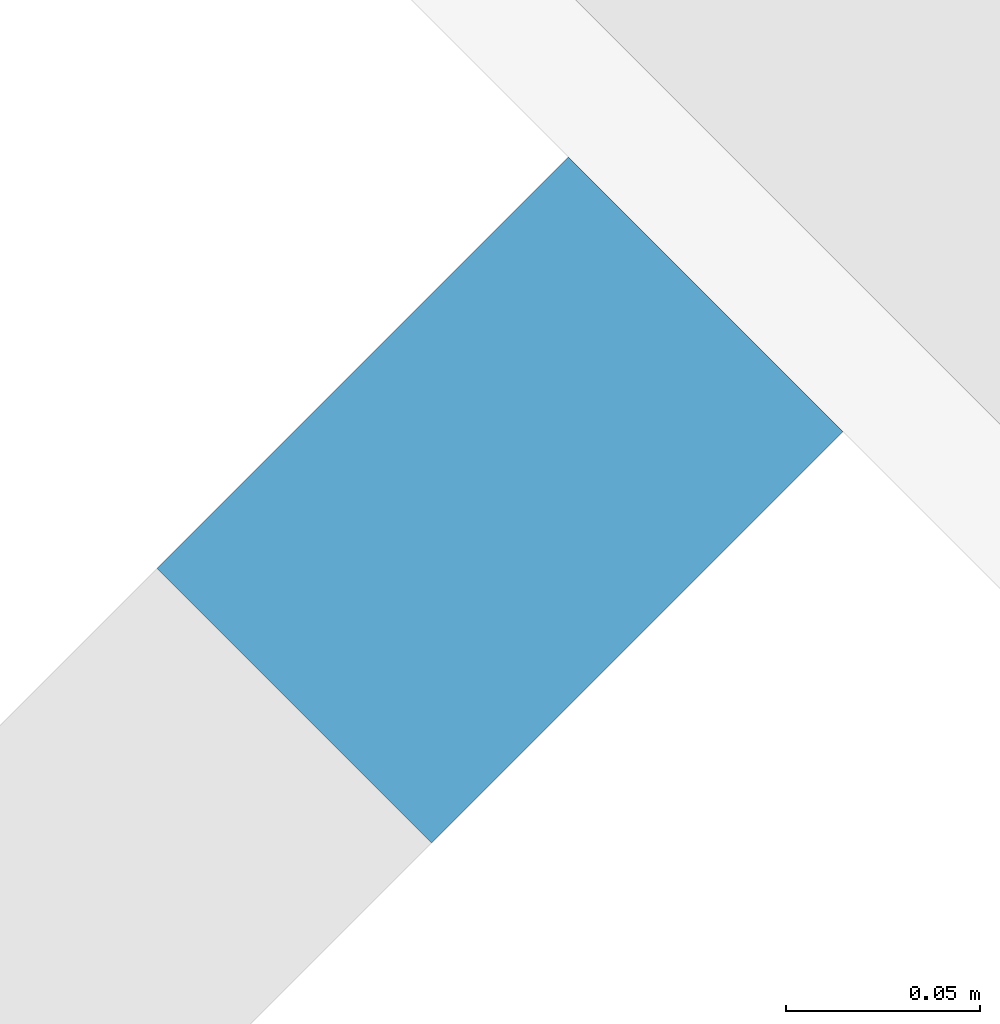
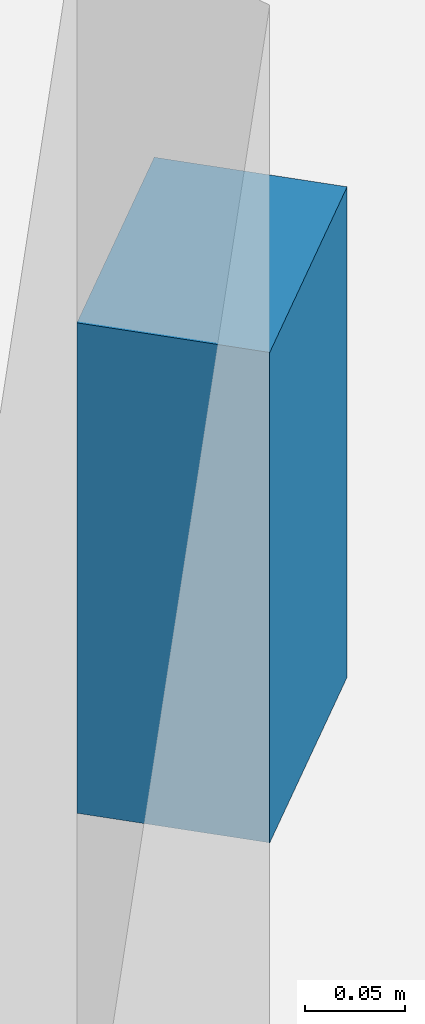
# One storey, part 9 of 32: 1 discrete accessory.
"""IFC4 building model written with IfcOpenShell, lengths in metres."""

from ifc_helpers import new_model, si_unit, direction, frame, origin, origin_2d, place, context, subcontext, project, spatial, rectangle, extrude, material, type_object, element, save


model = new_model("IFC4")

# Units and contexts
model_context = context("Model", 3, precision=1e-05, world=origin(), true_north=direction((0.0, 1.0)))
body_context = subcontext(model_context, "Body", "Model", "MODEL_VIEW")
ifc_project = project(units=[si_unit("LENGTHUNIT", "METRE"), si_unit("AREAUNIT", "SQUARE_METRE"), si_unit("VOLUMEUNIT", "CUBIC_METRE"), si_unit("PLANEANGLEUNIT", "RADIAN"), si_unit("MASSUNIT", "GRAM", prefix="KILO")], contexts=[model_context])

# Site, building, storey
site_placement = place(None, origin())
site = spatial("IfcSite", under=ifc_project, at=site_placement, CompositionType="ELEMENT")
building_placement = place(site_placement, origin())
building = spatial("IfcBuilding", under=site, at=building_placement, Name="Qamariyya Broadcast Tower", CompositionType="ELEMENT")
storey_placement = place(building_placement, frame((0.0, 0.0, 70.89990234375)))
storey = spatial("IfcBuildingStorey", under=building, at=storey_placement, Name="L14", CompositionType="ELEMENT", Elevation=70.89990234375)

# Discrete accessory
ifc_material = material(Name="Stainless steel 316", Category="steel")
discrete_accessory_type = type_object("IfcDiscreteAccessoryType", Name="Slab edge fixing angle, stainless steel", PredefinedType="BRACKET", material=ifc_material)
discrete_accessory_placement = place(storey_placement, frame((-53.49072265625, -59.01611328125, 3.30029296875), z_axis=(0.0, 0.0, 1.0), x_axis=(0.707106781187, -0.707106781187, 0.0)))
element("IfcDiscreteAccessory", 1, at=discrete_accessory_placement, inside=storey, type_object=discrete_accessory_type, Name="e-br-L14-02-0", PredefinedType="BRACKET", context=body_context, shape_type="SweptSolid", body=[
    extrude(rectangle(XDim=0.10009765625, YDim=0.14990234375, at=origin_2d()), origin(), (0.0, 0.0, 1.0), 0.300048828125),
])

save(model, "model.ifc")
